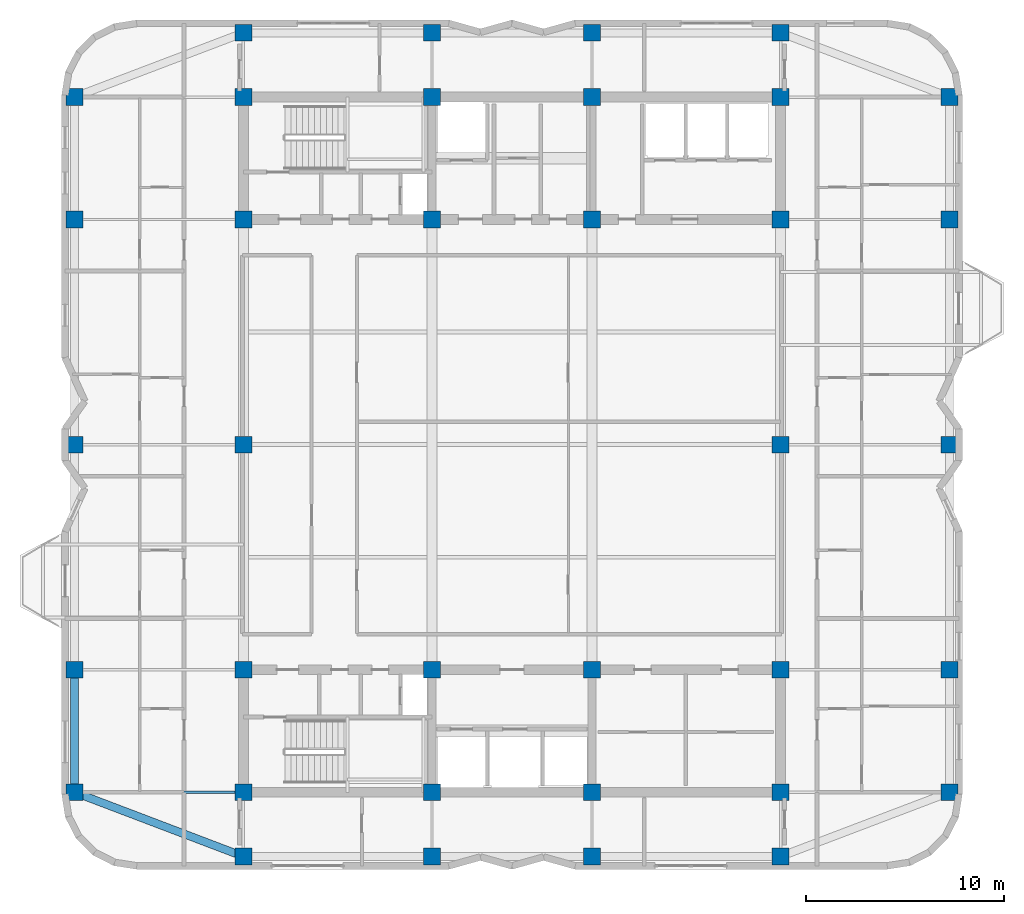
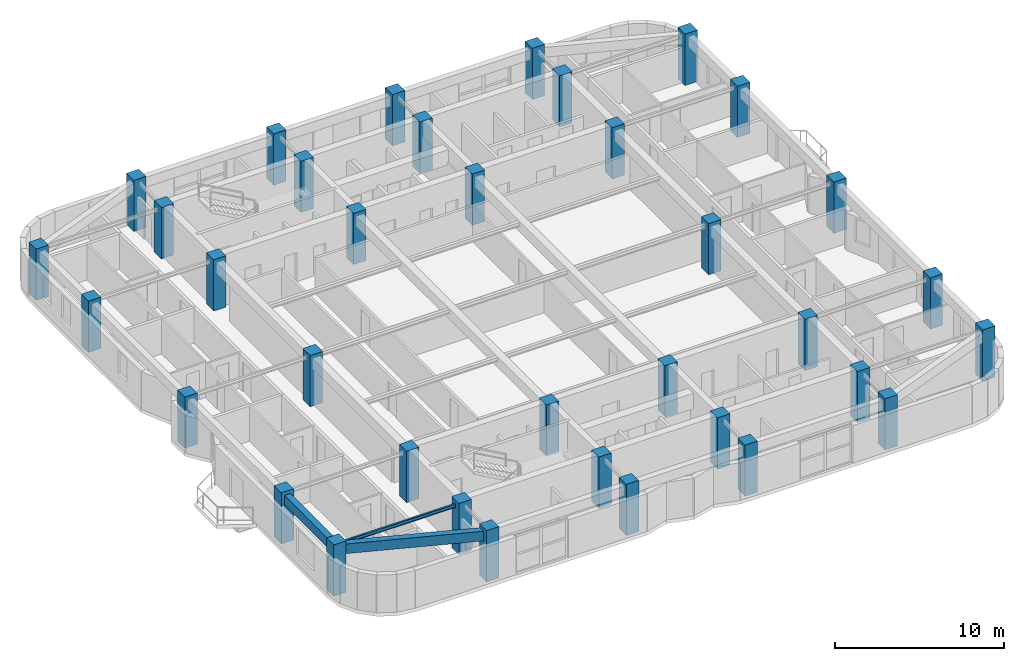
# One storey, part 1 of 14: 36 columns, 3 beams.
"""IFC4 building model written with IfcOpenShell, lengths in metres."""

from ifc_helpers import new_model, si_unit, direction, frame, origin, origin_2d, place, context, subcontext, project, spatial, rectangle, i_section, extrude, material, material_profile, profile_set, type_object, element, save


model = new_model("IFC4")

# Units and contexts
model_context = context("Model", 3, precision=1e-05, world=origin(), true_north=direction((0.0, 1.0)))
body_context = subcontext(model_context, "Body", "Model", "MODEL_VIEW")
ifc_project = project(units=[si_unit("LENGTHUNIT", "METRE"), si_unit("AREAUNIT", "SQUARE_METRE"), si_unit("VOLUMEUNIT", "CUBIC_METRE"), si_unit("PLANEANGLEUNIT", "RADIAN"), si_unit("MASSUNIT", "GRAM", prefix="KILO")], contexts=[model_context])

# Site, building, storey
site_placement = place(None, origin())
site = spatial("IfcSite", under=ifc_project, at=site_placement, CompositionType="ELEMENT")
building_placement = place(site_placement, origin())
building = spatial("IfcBuilding", under=site, at=building_placement, Name="Svetorya Sky Lyceum", CompositionType="ELEMENT")
storey_placement = place(building_placement, frame((0.0, 0.0, 218.39990234375)))
storey = spatial("IfcBuildingStorey", under=building, at=storey_placement, Name="L54", CompositionType="ELEMENT", Elevation=218.39990234375)

# Columns
ifc_material_1 = material(Name="Concrete C50/60", Category="concrete")
ifc_material_profile_1 = material_profile(ifc_material_1, rectangle(XDim=0.85009765625, YDim=0.85009765625, at=origin_2d()), Name="RC COL 850x850")
ifc_profile_set_1 = profile_set([ifc_material_profile_1], Name="Concrete C50/60")
column_type = type_object("IfcColumnType", Name="COL-RC-850", PredefinedType="COLUMN", material=ifc_profile_set_1)
for number, where, z_axis, x_axis, name in (
    (1, (25.60009765625, 10.60009765625, 0.0), (0.0, 0.0, 1.0), (1.0, 0.0, 0.0), "L54 Core Column CS-11"),
    (2, (25.60009765625, 16.800048828125, 0.0), (0.0, 0.0, 1.0), (1.0, 0.0, 0.0), "L54 Core Column CS-12"),
    (3, (35.14990234375, 10.60009765625, 0.0), (0.0, 0.0, 1.0), (1.0, 0.0, 0.0), "L54 Core Column CS-21"),
    (4, (35.14990234375, 16.800048828125, 0.0), (0.0, 0.0, 1.0), (1.0, 0.0, 0.0), "L54 Core Column CS-22"),
    (5, (43.25, 10.60009765625, 0.0), (0.0, 0.0, 1.0), (1.0, 0.0, 0.0), "L54 Core Column CS-31"),
    (6, (43.25, 16.800048828125, 0.0), (0.0, 0.0, 1.0), (1.0, 0.0, 0.0), "L54 Core Column CS-32"),
    (7, (52.800048828125, 10.60009765625, 0.0), (0.0, 0.0, 1.0), (1.0, 0.0, 0.0), "L54 Core Column CS-41"),
    (8, (52.800048828125, 16.800048828125, 0.0), (0.0, 0.0, 1.0), (1.0, 0.0, 0.0), "L54 Core Column CS-42"),
    (9, (25.60009765625, 39.60009765625, 0.0), (0.0, 0.0, 1.0), (1.0, 0.0, 0.0), "L54 Core Column CN-11"),
    (10, (25.60009765625, 45.800048828125, 0.0), (0.0, 0.0, 1.0), (1.0, 0.0, 0.0), "L54 Core Column CN-12"),
    (11, (35.14990234375, 39.60009765625, 0.0), (0.0, 0.0, 1.0), (1.0, 0.0, 0.0), "L54 Core Column CN-21"),
    (12, (35.14990234375, 45.800048828125, 0.0), (0.0, 0.0, 1.0), (1.0, 0.0, 0.0), "L54 Core Column CN-22"),
    (13, (43.25, 39.60009765625, 0.0), (0.0, 0.0, 1.0), (1.0, 0.0, 0.0), "L54 Core Column CN-31"),
    (14, (43.25, 45.800048828125, 0.0), (0.0, 0.0, 1.0), (1.0, 0.0, 0.0), "L54 Core Column CN-32"),
    (15, (52.800048828125, 39.60009765625, 0.0), (0.0, 0.0, 1.0), (1.0, 0.0, 0.0), "L54 Core Column CN-41"),
    (16, (52.800048828125, 45.800048828125, 0.0), (0.0, 0.0, 1.0), (1.0, 0.0, 0.0), "L54 Core Column CN-42"),
    (17, (25.60009765625, 28.199951171875, 0.0), (0.0, 0.0, 1.0), (1.0, 0.0, 0.0), "L54 Core Column CM-W"),
    (18, (52.800048828125, 28.199951171875, 0.0), (0.0, 0.0, 1.0), (1.0, 0.0, 0.0), "L54 Core Column CM-E"),
    (19, (25.60009765625, 7.35009765625, 0.0), (0.0, 0.0, 1.0), (1.0, 0.0, 0.0), "L54 Perimeter Column S1"),
    (20, (25.60009765625, 49.050048828125, 0.0), (0.0, 0.0, 1.0), (1.0, 0.0, 0.0), "L54 Perimeter Column N1"),
    (21, (35.14990234375, 7.35009765625, 0.0), (0.0, 0.0, 1.0), (1.0, 0.0, 0.0), "L54 Perimeter Column S2"),
    (22, (35.14990234375, 49.050048828125, 0.0), (0.0, 0.0, 1.0), (1.0, 0.0, 0.0), "L54 Perimeter Column N2"),
    (23, (43.25, 7.35009765625, 0.0), (0.0, 0.0, 1.0), (1.0, 0.0, 0.0), "L54 Perimeter Column S3"),
    (24, (43.25, 49.050048828125, 0.0), (0.0, 0.0, 1.0), (1.0, 0.0, 0.0), "L54 Perimeter Column N3"),
    (25, (52.800048828125, 7.35009765625, 0.0), (0.0, 0.0, 1.0), (1.0, 0.0, 0.0), "L54 Perimeter Column S4"),
    (26, (52.800048828125, 49.050048828125, 0.0), (0.0, 0.0, 1.0), (1.0, 0.0, 0.0), "L54 Perimeter Column N4"),
    (27, (17.050048828125, 10.60009765625, 0.0), (0.0, 0.0, 1.0), (1.0, 0.0, 0.0), "L54 Perimeter Column W1"),
    (28, (61.35009765625, 10.60009765625, 0.0), (0.0, 0.0, 1.0), (1.0, 0.0, 0.0), "L54 Perimeter Column E1"),
    (29, (17.050048828125, 16.800048828125, 0.0), (0.0, 0.0, 1.0), (1.0, 0.0, 0.0), "L54 Perimeter Column W2"),
    (30, (61.35009765625, 16.800048828125, 0.0), (0.0, 0.0, 1.0), (1.0, 0.0, 0.0), "L54 Perimeter Column E2"),
    (31, (17.050048828125, 28.199951171875, 0.0), (0.0, 0.0, 1.0), (1.0, 0.0, 0.0), "L54 Perimeter Column W3"),
    (32, (61.35009765625, 28.199951171875, 0.0), (0.0, 0.0, 1.0), (1.0, 0.0, 0.0), "L54 Perimeter Column E3"),
    (33, (17.050048828125, 39.60009765625, 0.0), (0.0, 0.0, 1.0), (1.0, 0.0, 0.0), "L54 Perimeter Column W4"),
    (34, (61.35009765625, 39.60009765625, 0.0), (0.0, 0.0, 1.0), (1.0, 0.0, 0.0), "L54 Perimeter Column E4"),
    (35, (17.050048828125, 45.800048828125, 0.0), (0.0, 0.0, 1.0), (1.0, 0.0, 0.0), "L54 Perimeter Column W5"),
    (36, (61.35009765625, 45.800048828125, 0.0), (0.0, 0.0, 1.0), (1.0, 0.0, 0.0), "L54 Perimeter Column E5"),
):
    element("IfcColumn", number, at=place(storey_placement, frame(where, z_axis=z_axis, x_axis=x_axis)), inside=storey, type_object=column_type, Name=name, PredefinedType="COLUMN", context=body_context, shape_type="SweptSolid", body=[
        extrude(rectangle(XDim=0.85009765625, YDim=0.85009765625, at=origin_2d()), origin(), (0.0, 0.0, 1.0), 3.7001953125),
    ])

# Beams
ifc_material_profile_2 = material_profile(ifc_material_1, rectangle(XDim=0.39990234375, YDim=0.699951171875, at=origin_2d()), Name="RC SPANDREL 400x700")
ifc_profile_set_2 = profile_set([ifc_material_profile_2], Name="Concrete C50/60")
beam_type_1 = type_object("IfcBeamType", Name="BM-SPN-700", PredefinedType="SPANDREL", material=ifc_profile_set_2)
beam_1_placement = place(storey_placement, frame((25.60009765625, 7.35009765625, 3.090087890625), z_axis=(-0.934747947367, 0.355311518099, 0.0), x_axis=(-0.355311518099, -0.934747947367, 0.0)))
element("IfcBeam", 37, at=beam_1_placement, inside=storey, type_object=beam_type_1, Name="L54 Corner Spandrel 1", PredefinedType="SPANDREL", context=body_context, shape_type="SweptSolid", body=[
    extrude(rectangle(XDim=0.39990234375, YDim=0.699951171875, at=origin_2d()), origin(), (0.0, 0.0, 1.0), 9.14697265625),
])
beam_2_placement = place(storey_placement, frame((17.050048828125, 10.60009765625, 3.090087890625), z_axis=(0.0, 1.0, 0.0), x_axis=(-1.0, 0.0, 0.0)))
element("IfcBeam", 38, at=beam_2_placement, inside=storey, type_object=beam_type_1, Name="L54 West Spandrel 1", PredefinedType="SPANDREL", context=body_context, shape_type="SweptSolid", body=[
    extrude(rectangle(XDim=0.39990234375, YDim=0.699951171875, at=origin_2d()), origin(), (0.0, 0.0, 1.0), 6.199951171875),
])
ifc_material_2 = material(Name="Steel S355", Category="steel")
ifc_material_profile_3 = material_profile(ifc_material_2, i_section(OverallWidth=0.1240234375, OverallDepth=0.248046875, WebThickness=0.006103515625, FlangeThickness=0.009521484375, at=origin_2d()), Name="GOST 25B2")
ifc_profile_set_3 = profile_set([ifc_material_profile_3], Name="Steel S355")
beam_type_2 = type_object("IfcBeamType", Name="BM-STL-25B2", PredefinedType="JOIST", material=ifc_profile_set_3)
beam_3_placement = place(storey_placement, frame((17.050048828125, 10.60009765625, 3.316162109375), z_axis=(1.0, 0.0, 0.0), x_axis=(0.0, 1.0, 0.0)))
element("IfcBeam", 39, at=beam_3_placement, inside=storey, type_object=beam_type_2, Name="L54 West Wing Floor Joist W1", PredefinedType="JOIST", context=body_context, shape_type="SweptSolid", body=[
    extrude(i_section(OverallWidth=0.1240234375, OverallDepth=0.248046875, WebThickness=0.006103515625, FlangeThickness=0.009521484375, at=origin_2d()), origin(), (0.0, 0.0, 1.0), 8.550048828125),
])

save(model, "model.ifc")
